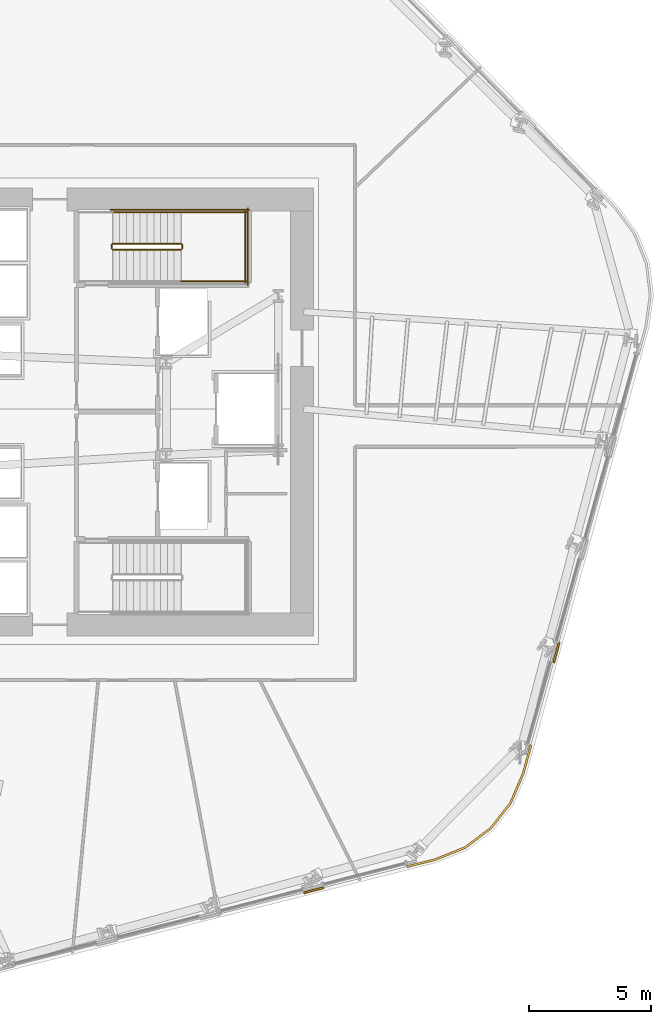
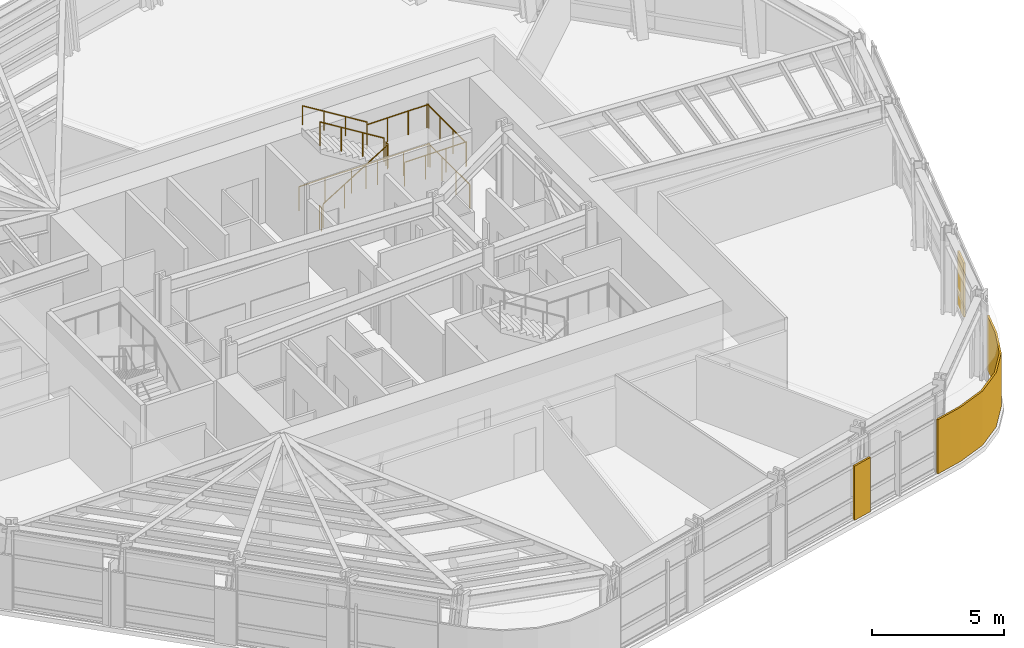
# One storey, part 15 of 17: 10 railings, 3 coverings.
"""IFC4 building model written with IfcOpenShell, lengths in metres."""

from ifc_helpers import new_model, si_unit, direction, frame, origin, origin_2d, place, context, subcontext, project, spatial, polyline, circle, outline, extrude, material, layer, layer_set, type_object, element, save


model = new_model("IFC4")

# Units and contexts
model_context = context("Model", 3, precision=1e-05, world=origin(), true_north=direction((0.0, 1.0)))
body_context = subcontext(model_context, "Body", "Model", "MODEL_VIEW")
ifc_project = project(units=[si_unit("LENGTHUNIT", "METRE"), si_unit("AREAUNIT", "SQUARE_METRE"), si_unit("VOLUMEUNIT", "CUBIC_METRE"), si_unit("PLANEANGLEUNIT", "RADIAN"), si_unit("MASSUNIT", "GRAM", prefix="KILO")], contexts=[model_context])

# Site, building, storey
site_placement = place(None, origin())
site = spatial("IfcSite", under=ifc_project, at=site_placement, CompositionType="ELEMENT")
building_placement = place(site_placement, origin())
building = spatial("IfcBuilding", under=site, at=building_placement, Name="Valkerne Bourse Tower", CompositionType="ELEMENT")
storey_placement = place(building_placement, frame((0.0, 0.0, 85.800048828125)))
storey = spatial("IfcBuildingStorey", under=building, at=storey_placement, Name="L21", CompositionType="ELEMENT", Elevation=85.800048828125)

# Coverings
ifc_material_1 = material(Name="Bronze Anodised Aluminium AA 6063-T6", Category="aluminium")
ifc_layer = layer(ifc_material_1, 0.06005859375)
ifc_layer_set = layer_set([ifc_layer], Name="Bronze Anodised Aluminium AA 6063-T6")
covering_type = type_object("IfcCoveringType", Name="COV-CRN-ALUM", PredefinedType="CLADDING", material=ifc_layer_set)
covering_1_placement = place(storey_placement, origin())
element("IfcCovering", 1, at=covering_1_placement, inside=storey, type_object=covering_type, Name="L21 Wind-Shaped Corner Aluminium Cladding 01", PredefinedType="CLADDING", context=body_context, shape_type="SweptSolid", body=[
    extrude(outline(polyline([(64.544921875, 10.765869140625), (63.723388671875, 9.718505859375), (62.658935546875, 8.919189453125), (61.41796875, 8.420166015625), (60.261962890625, 8.128662109375), (60.2421875, 8.2060546875), (61.393310546875, 8.49658203125), (62.619384765625, 8.989501953125), (63.6669921875, 9.77587890625), (64.475341796875, 10.806884765625), (64.993896484375, 12.0224609375), (65.30810546875, 13.167236328125), (65.38525390625, 13.145751953125), (65.069580078125, 11.99609375), (64.544921875, 10.765869140625)])), origin(), (0.0, 0.0, 1.0), 2.5),
])
covering_2_placement = place(storey_placement, origin())
element("IfcCovering", 2, at=covering_2_placement, inside=storey, type_object=covering_type, Name="L21 Wind-Shaped Corner Aluminium Cladding 02", PredefinedType="CLADDING", context=body_context, shape_type="SweptSolid", body=[
    extrude(outline(polyline([(56.01220703125, 7.056640625), (55.9921875, 7.134033203125), (56.806884765625, 7.339599609375), (56.82666015625, 7.26220703125), (56.01220703125, 7.056640625)])), origin(), (0.0, 0.0, 1.0), 2.5),
])
covering_3_placement = place(storey_placement, origin())
element("IfcCovering", 3, at=covering_3_placement, inside=storey, type_object=covering_type, Name="L21 Wind-Shaped Corner Aluminium Cladding 24", PredefinedType="CLADDING", context=body_context, shape_type="SweptSolid", body=[
    extrude(outline(polyline([(66.323486328125, 16.562255859375), (66.24658203125, 16.583740234375), (66.468994140625, 17.393798828125), (66.5458984375, 17.372314453125), (66.323486328125, 16.562255859375)])), origin(), (0.0, 0.0, 1.0), 2.5),
])

# Railings
ifc_material_2 = material(Name="Galvanised Painted Steel", Category="steel")
railing_type_1 = type_object("IfcRailingType", Name="RLG-ST-GUARD-1120", PredefinedType="GUARDRAIL", material=ifc_material_2)
railing_1_placement = place(storey_placement, frame((48.14990234375, 33.550048828125, 0.172607421875)))
element("IfcRailing", 4, at=railing_1_placement, inside=storey, type_object=railing_type_1, Name="L21 ST-2 stair guard 1", PredefinedType="GUARDRAIL", context=body_context, shape_type="SweptSolid", body=[
    extrude(circle(Radius=0.02392578125, at=origin_2d()), frame((0.0, 0.0, 1.09619140625), z_axis=(0.851089632645, 0.0, 0.525020415988), x_axis=(0.0, 1.0, 0.0)), (0.0, 0.0, 1.0), 3.2900390625),
    extrude(circle(Radius=0.02099609375, at=origin_2d()), origin(), (0.0, 0.0, 1.0), 1.072021484375),
    extrude(circle(Radius=0.02099609375, at=origin_2d()), frame((0.933349609375, 0.0, 0.57568359375)), (0.0, 0.0, 1.0), 1.072021484375),
    extrude(circle(Radius=0.02099609375, at=origin_2d()), frame((1.86669921875, 0.0, 1.151611328125)), (0.0, 0.0, 1.0), 1.072021484375),
    extrude(circle(Radius=0.02099609375, at=origin_2d()), frame((2.800048828125, 0.0, 1.727294921875)), (0.0, 0.0, 1.0), 1.072021484375),
])
railing_2_placement = place(storey_placement, frame((51.0, 33.60009765625, 1.89990234375)))
element("IfcRailing", 5, at=railing_2_placement, inside=storey, type_object=railing_type_1, Name="L21 ST-2 stair guard 2", PredefinedType="GUARDRAIL", context=body_context, shape_type="SweptSolid", body=[
    extrude(circle(Radius=0.02392578125, at=origin_2d()), frame((0.0, 0.0, 1.09619140625), z_axis=(0.0, 1.0, 0.0), x_axis=(-1.0, 0.0, 0.0)), (0.0, 0.0, 1.0), 0.14990234375),
    extrude(circle(Radius=0.02099609375, at=origin_2d()), origin(), (0.0, 0.0, 1.0), 1.072021484375),
    extrude(circle(Radius=0.02099609375, at=origin_2d()), frame((0.0, 0.14990234375, 0.0)), (0.0, 0.0, 1.0), 1.072021484375),
])
for number, where, name in (
    (6, (50.949951171875, 32.25, 1.89990234375), "L21 ST-2 stair guard 3"),
    (7, (50.949951171875, 35.10009765625, 1.89990234375), "L21 ST-2 stair guard 4"),
):
    element("IfcRailing", number, at=place(storey_placement, frame(where)), inside=storey, type_object=railing_type_1, Name=name, PredefinedType="GUARDRAIL", context=body_context, shape_type="SweptSolid", body=[
        extrude(circle(Radius=0.02392578125, at=origin_2d()), frame((0.0, 0.0, 1.09619140625), z_axis=(1.0, 0.0, 0.0), x_axis=(0.0, 1.0, 0.0)), (0.0, 0.0, 1.0), 2.699951171875),
        extrude(circle(Radius=0.02099609375, at=origin_2d()), origin(), (0.0, 0.0, 1.0), 1.072021484375),
        extrude(circle(Radius=0.02099609375, at=origin_2d()), frame((0.89990234375, 0.0, 0.0)), (0.0, 0.0, 1.0), 1.072021484375),
        extrude(circle(Radius=0.02099609375, at=origin_2d()), frame((1.800048828125, 0.0, 0.0)), (0.0, 0.0, 1.0), 1.072021484375),
        extrude(circle(Radius=0.02099609375, at=origin_2d()), frame((2.699951171875, 0.0, 0.0)), (0.0, 0.0, 1.0), 1.072021484375),
    ])
railing_3_placement = place(storey_placement, frame((53.60009765625, 32.199951171875, 1.89990234375)))
element("IfcRailing", 8, at=railing_3_placement, inside=storey, type_object=railing_type_1, Name="L21 ST-2 stair guard 5", PredefinedType="GUARDRAIL", context=body_context, shape_type="SweptSolid", body=[
    extrude(circle(Radius=0.02392578125, at=origin_2d()), frame((0.0, 0.0, 1.09619140625), z_axis=(0.0, 1.0, 0.0), x_axis=(-1.0, 0.0, 0.0)), (0.0, 0.0, 1.0), 2.949951171875),
    extrude(circle(Radius=0.02099609375, at=origin_2d()), origin(), (0.0, 0.0, 1.0), 1.072021484375),
    extrude(circle(Radius=0.02099609375, at=origin_2d()), frame((0.0, 0.9833984375, 0.0)), (0.0, 0.0, 1.0), 1.072021484375),
    extrude(circle(Radius=0.02099609375, at=origin_2d()), frame((0.0, 1.966552734375, 0.0)), (0.0, 0.0, 1.0), 1.072021484375),
    extrude(circle(Radius=0.02099609375, at=origin_2d()), frame((0.0, 2.949951171875, 0.0)), (0.0, 0.0, 1.0), 1.072021484375),
])
railing_4_placement = place(storey_placement, frame((50.949951171875, 33.800048828125, 2.07275390625)))
element("IfcRailing", 9, at=railing_4_placement, inside=storey, type_object=railing_type_1, Name="L21 ST-2 stair guard 6", PredefinedType="GUARDRAIL", context=body_context, shape_type="SweptSolid", body=[
    extrude(circle(Radius=0.02392578125, at=origin_2d()), frame((0.0, 0.0, 1.09619140625), z_axis=(-0.851089632645, 0.0, 0.525020415988), x_axis=(0.0, -1.0, 0.0)), (0.0, 0.0, 1.0), 3.2900390625),
    extrude(circle(Radius=0.02099609375, at=origin_2d()), origin(), (0.0, 0.0, 1.0), 1.072021484375),
    extrude(circle(Radius=0.02099609375, at=origin_2d()), frame((-0.933349609375, 0.0, 0.57568359375)), (0.0, 0.0, 1.0), 1.072021484375),
    extrude(circle(Radius=0.02099609375, at=origin_2d()), frame((-1.86669921875, 0.0, 1.151611328125)), (0.0, 0.0, 1.0), 1.072021484375),
    extrude(circle(Radius=0.02099609375, at=origin_2d()), frame((-2.800048828125, 0.0, 1.727294921875)), (0.0, 0.0, 1.0), 1.072021484375),
])
railing_5_placement = place(storey_placement, frame((48.10009765625, 33.60009765625, 0.0)))
element("IfcRailing", 10, at=railing_5_placement, inside=storey, type_object=railing_type_1, Name="L21 ST-2 stair guard 7", PredefinedType="GUARDRAIL", context=body_context, shape_type="SweptSolid", body=[
    extrude(circle(Radius=0.02392578125, at=origin_2d()), frame((0.0, 0.0, 1.09619140625), z_axis=(0.0, 1.0, 0.0), x_axis=(-1.0, 0.0, 0.0)), (0.0, 0.0, 1.0), 0.14990234375),
    extrude(circle(Radius=0.02099609375, at=origin_2d()), origin(), (0.0, 0.0, 1.0), 1.072021484375),
    extrude(circle(Radius=0.02099609375, at=origin_2d()), frame((0.0, 0.14990234375, 0.0)), (0.0, 0.0, 1.0), 1.072021484375),
])
railing_6_placement = place(storey_placement, frame((48.050048828125, 35.199951171875, 0.0)))
element("IfcRailing", 11, at=railing_6_placement, inside=storey, type_object=railing_type_1, Name="L21 ST-2 stair guard 11", PredefinedType="GUARDRAIL", context=body_context, shape_type="SweptSolid", body=[
    extrude(circle(Radius=0.02392578125, at=origin_2d()), frame((0.0, 0.0, 1.09619140625), z_axis=(1.0, 0.0, 0.0), x_axis=(0.0, 1.0, 0.0)), (0.0, 0.0, 1.0), 5.699951171875),
    extrude(circle(Radius=0.02099609375, at=origin_2d()), origin(), (0.0, 0.0, 1.0), 1.072021484375),
    extrude(circle(Radius=0.02099609375, at=origin_2d()), frame((1.139892578125, 0.0, 0.0)), (0.0, 0.0, 1.0), 1.072021484375),
    extrude(circle(Radius=0.02099609375, at=origin_2d()), frame((2.280029296875, 0.0, 0.0)), (0.0, 0.0, 1.0), 1.072021484375),
    extrude(circle(Radius=0.02099609375, at=origin_2d()), frame((3.419921875, 0.0, 0.0)), (0.0, 0.0, 1.0), 1.072021484375),
    extrude(circle(Radius=0.02099609375, at=origin_2d()), frame((4.56005859375, 0.0, 0.0)), (0.0, 0.0, 1.0), 1.072021484375),
    extrude(circle(Radius=0.02099609375, at=origin_2d()), frame((5.699951171875, 0.0, 0.0)), (0.0, 0.0, 1.0), 1.072021484375),
])
railing_7_placement = place(storey_placement, frame((53.699951171875, 32.10009765625, 0.0)))
element("IfcRailing", 12, at=railing_7_placement, inside=storey, type_object=railing_type_1, Name="L21 ST-2 stair guard 12", PredefinedType="GUARDRAIL", context=body_context, shape_type="SweptSolid", body=[
    extrude(circle(Radius=0.02392578125, at=origin_2d()), frame((0.0, 0.0, 1.09619140625), z_axis=(0.0, 1.0, 0.0), x_axis=(-1.0, 0.0, 0.0)), (0.0, 0.0, 1.0), 3.14990234375),
    extrude(circle(Radius=0.02099609375, at=origin_2d()), origin(), (0.0, 0.0, 1.0), 1.072021484375),
    extrude(circle(Radius=0.02099609375, at=origin_2d()), frame((0.0, 1.050048828125, 0.0)), (0.0, 0.0, 1.0), 1.072021484375),
    extrude(circle(Radius=0.02099609375, at=origin_2d()), frame((0.0, 2.099853515625, 0.0)), (0.0, 0.0, 1.0), 1.072021484375),
    extrude(circle(Radius=0.02099609375, at=origin_2d()), frame((0.0, 3.14990234375, 0.0)), (0.0, 0.0, 1.0), 1.072021484375),
])
ifc_material_3 = material(Name="Stainless Steel AISI 316", Category="steel")
railing_type_2 = type_object("IfcRailingType", Name="RLG-ST-HANDRAIL-900", PredefinedType="HANDRAIL", material=ifc_material_3)
railing_8_placement = place(storey_placement, frame((50.949951171875, 35.10009765625, 2.245361328125)))
element("IfcRailing", 13, at=railing_8_placement, inside=storey, type_object=railing_type_2, Name="L21 ST-2 stair handrail 2", PredefinedType="HANDRAIL", context=body_context, shape_type="SweptSolid", body=[
    extrude(circle(Radius=0.02392578125, at=origin_2d()), frame((0.0, 0.0, 0.8759765625), z_axis=(-0.851089632645, 0.0, 0.525020415988), x_axis=(0.0, -1.0, 0.0)), (0.0, 0.0, 1.0), 3.2900390625),
    extrude(circle(Radius=0.02099609375, at=origin_2d()), origin(), (0.0, 0.0, 1.0), 0.851806640625),
    extrude(circle(Radius=0.02099609375, at=origin_2d()), frame((-0.933349609375, 0.0, 0.57568359375)), (0.0, 0.0, 1.0), 0.851806640625),
    extrude(circle(Radius=0.02099609375, at=origin_2d()), frame((-1.86669921875, 0.0, 1.151611328125)), (0.0, 0.0, 1.0), 0.851806640625),
    extrude(circle(Radius=0.02099609375, at=origin_2d()), frame((-2.800048828125, 0.0, 1.727294921875)), (0.0, 0.0, 1.0), 0.851806640625),
])

save(model, "model.ifc")
